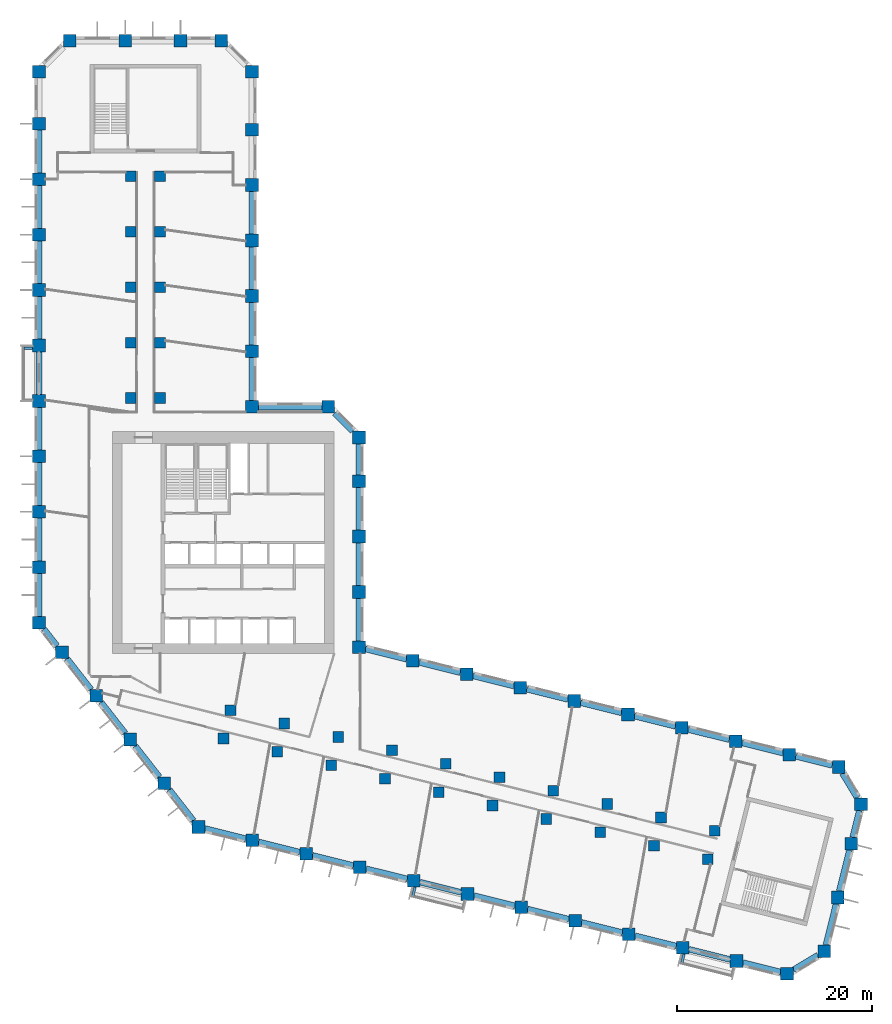
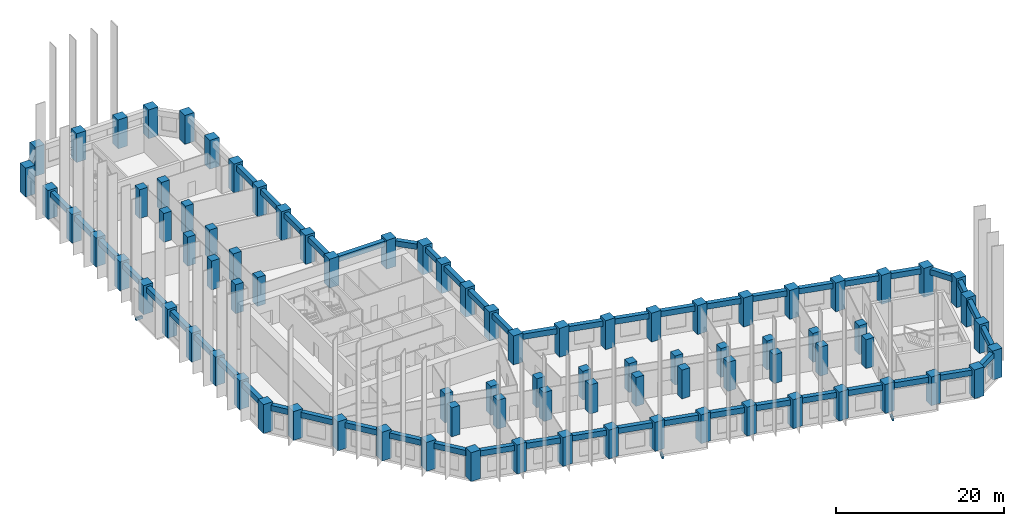
# One storey, part 1 of 10: 87 columns, 52 beams.
"""IFC4 building model written with IfcOpenShell, lengths in metres."""

from ifc_helpers import new_model, si_unit, direction, frame, origin, origin_2d, place, context, subcontext, project, spatial, rectangle, extrude, material, material_profile, profile_set, type_object, element, save


model = new_model("IFC4")

# Units and contexts
model_context = context("Model", 3, precision=1e-05, world=origin(), true_north=direction((0.0, 1.0)))
body_context = subcontext(model_context, "Body", "Model", "MODEL_VIEW")
ifc_project = project(units=[si_unit("LENGTHUNIT", "METRE"), si_unit("AREAUNIT", "SQUARE_METRE"), si_unit("VOLUMEUNIT", "CUBIC_METRE"), si_unit("PLANEANGLEUNIT", "RADIAN"), si_unit("MASSUNIT", "GRAM", prefix="KILO")], contexts=[model_context])

# Site, building, storey
site_placement = place(None, origin())
site = spatial("IfcSite", under=ifc_project, at=site_placement, CompositionType="ELEMENT")
building_placement = place(site_placement, origin())
building = spatial("IfcBuilding", under=site, at=building_placement, Name="Meshkara Civic Tower", CompositionType="ELEMENT")
storey_placement = place(building_placement, frame((0.0, 0.0, 114.0)))
storey = spatial("IfcBuildingStorey", under=building, at=storey_placement, Name="L25", CompositionType="ELEMENT", Elevation=114.0)

# Columns
ifc_material_1 = material(Name="Concrete C70", Category="concrete")
ifc_material_profile_1 = material_profile(ifc_material_1, rectangle(XDim=1.10009765625, YDim=1.10009765625, at=origin_2d()))
ifc_profile_set_1 = profile_set([ifc_material_profile_1], Name="Concrete C70")
column_type_1 = type_object("IfcColumnType", Name="Interior column RC 1100x1100 C70", PredefinedType="COLUMN", material=ifc_profile_set_1)
for number, where, z_axis, x_axis, name in (
    (1, (9.89990234375, 40.35009765625, 0.0), (0.0, 0.0, 1.0), (1.0, 0.0, 0.0), "Column SA1-04 L25"),
    (2, (9.89990234375, 46.050048828125, 0.0), (0.0, 0.0, 1.0), (1.0, 0.0, 0.0), "Column SA1-05 L25"),
    (3, (9.89990234375, 51.75, 0.0), (0.0, 0.0, 1.0), (1.0, 0.0, 0.0), "Column SA1-06 L25"),
    (4, (9.89990234375, 57.449951171875, 0.0), (0.0, 0.0, 1.0), (1.0, 0.0, 0.0), "Column SA1-07 L25"),
    (5, (9.89990234375, 63.14990234375, 0.0), (0.0, 0.0, 1.0), (1.0, 0.0, 0.0), "Column SA1-08 L25"),
    (6, (12.89990234375, 40.35009765625, 0.0), (0.0, 0.0, 1.0), (1.0, 0.0, 0.0), "Column SA2-04 L25"),
    (7, (12.89990234375, 46.050048828125, 0.0), (0.0, 0.0, 1.0), (1.0, 0.0, 0.0), "Column SA2-05 L25"),
    (8, (12.89990234375, 51.75, 0.0), (0.0, 0.0, 1.0), (1.0, 0.0, 0.0), "Column SA2-06 L25"),
    (9, (12.89990234375, 57.449951171875, 0.0), (0.0, 0.0, 1.0), (1.0, 0.0, 0.0), "Column SA2-07 L25"),
    (10, (12.89990234375, 63.14990234375, 0.0), (0.0, 0.0, 1.0), (1.0, 0.0, 0.0), "Column SA2-08 L25"),
    (11, (19.424072265625, 5.360107421875, 0.0), (0.0, 0.0, 1.0), (1.0, 0.0, 0.0), "Column SB1-00 L25"),
    (12, (24.9541015625, 3.98095703125, 0.0), (0.0, 0.0, 1.0), (1.0, 0.0, 0.0), "Column SB1-01 L25"),
    (13, (30.485107421875, 2.60205078125, 0.0), (0.0, 0.0, 1.0), (1.0, 0.0, 0.0), "Column SB1-02 L25"),
    (14, (36.01611328125, 1.222900390625, 0.0), (0.0, 0.0, 1.0), (1.0, 0.0, 0.0), "Column SB1-03 L25"),
    (15, (41.5458984375, -0.156005859375, 0.0), (0.0, 0.0, 1.0), (1.0, 0.0, 0.0), "Column SB1-04 L25"),
    (16, (47.076904296875, -1.534912109375, 0.0), (0.0, 0.0, 1.0), (1.0, 0.0, 0.0), "Column SB1-05 L25"),
    (17, (52.60791015625, -2.9140625, 0.0), (0.0, 0.0, 1.0), (1.0, 0.0, 0.0), "Column SB1-06 L25"),
    (18, (58.138916015625, -4.2919921875, 0.0), (0.0, 0.0, 1.0), (1.0, 0.0, 0.0), "Column SB1-07 L25"),
    (19, (63.6689453125, -5.6708984375, 0.0), (0.0, 0.0, 1.0), (1.0, 0.0, 0.0), "Column SB1-08 L25"),
    (20, (69.199951171875, -7.050048828125, 0.0), (0.0, 0.0, 1.0), (1.0, 0.0, 0.0), "Column SB1-09 L25"),
    (21, (20.14892578125, 8.27099609375, 0.0), (0.0, 0.0, 1.0), (1.0, 0.0, 0.0), "Column SB2-00 L25"),
    (22, (25.679931640625, 6.89208984375, 0.0), (0.0, 0.0, 1.0), (1.0, 0.0, 0.0), "Column SB2-01 L25"),
    (23, (31.2109375, 5.512939453125, 0.0), (0.0, 0.0, 1.0), (1.0, 0.0, 0.0), "Column SB2-02 L25"),
    (24, (36.741943359375, 4.134033203125, 0.0), (0.0, 0.0, 1.0), (1.0, 0.0, 0.0), "Column SB2-03 L25"),
    (25, (42.27197265625, 2.7548828125, 0.0), (0.0, 0.0, 1.0), (1.0, 0.0, 0.0), "Column SB2-04 L25"),
    (26, (47.802978515625, 1.3759765625, 0.0), (0.0, 0.0, 1.0), (1.0, 0.0, 0.0), "Column SB2-05 L25"),
    (27, (53.333984375, -0.0029296875, 0.0), (0.0, 0.0, 1.0), (1.0, 0.0, 0.0), "Column SB2-06 L25"),
    (28, (58.864013671875, -1.382080078125, 0.0), (0.0, 0.0, 1.0), (1.0, 0.0, 0.0), "Column SB2-07 L25"),
    (29, (64.39501953125, -2.760986328125, 0.0), (0.0, 0.0, 1.0), (1.0, 0.0, 0.0), "Column SB2-08 L25"),
    (30, (69.926025390625, -4.139892578125, 0.0), (0.0, 0.0, 1.0), (1.0, 0.0, 0.0), "Column SB2-09 L25"),
):
    element("IfcColumn", number, at=place(storey_placement, frame(where, z_axis=z_axis, x_axis=x_axis)), inside=storey, type_object=column_type_1, Name=name, PredefinedType="COLUMN", context=body_context, shape_type="SweptSolid", body=[
        extrude(rectangle(XDim=1.10009765625, YDim=1.10009765625, at=origin_2d()), origin(), (0.0, 0.0, 1.0), 4.199951171875),
    ])
ifc_material_2 = material(Name="Concrete C70", Category="concrete")
ifc_material_profile_2 = material_profile(ifc_material_2, rectangle(XDim=1.300048828125, YDim=1.300048828125, at=origin_2d()))
ifc_profile_set_2 = profile_set([ifc_material_profile_2], Name="Concrete C70")
column_type_2 = type_object("IfcColumnType", Name="Perimeter column RC 1300x1300 C70", PredefinedType="COLUMN", material=ifc_profile_set_2)
for number, where, z_axis, x_axis, name in (
    (31, (33.35009765625, 14.718994140625, 0.0), (0.0, 0.0, 1.0), (1.0, 0.0, 0.0), "Column HE00 L25"),
    (32, (33.35009765625, 20.4189453125, 0.0), (0.0, 0.0, 1.0), (1.0, 0.0, 0.0), "Column HE01 L25"),
    (33, (33.35009765625, 26.118896484375, 0.0), (0.0, 0.0, 1.0), (1.0, 0.0, 0.0), "Column HE02 L25"),
    (34, (33.35009765625, 31.819091796875, 0.0), (0.0, 0.0, 1.0), (1.0, 0.0, 0.0), "Column HE03 L25"),
    (35, (33.35009765625, 36.2939453125, 0.0), (0.0, 0.0, 1.0), (1.0, 0.0, 0.0), "Column HEE L25"),
    (36, (30.194091796875, 39.449951171875, 0.0), (0.0, 0.0, 1.0), (1.0, 0.0, 0.0), "Column HCeE L25"),
    (37, (22.35009765625, 39.449951171875, 0.0), (0.0, 0.0, 1.0), (1.0, 0.0, 0.0), "Column HN00 L25"),
    (38, (22.35009765625, 45.14990234375, 0.0), (0.0, 0.0, 1.0), (1.0, 0.0, 0.0), "Column AE01 L25"),
    (39, (22.35009765625, 50.85009765625, 0.0), (0.0, 0.0, 1.0), (1.0, 0.0, 0.0), "Column AE02 L25"),
    (40, (22.35009765625, 56.550048828125, 0.0), (0.0, 0.0, 1.0), (1.0, 0.0, 0.0), "Column AE03 L25"),
    (41, (22.35009765625, 62.25, 0.0), (0.0, 0.0, 1.0), (1.0, 0.0, 0.0), "Column AE04 L25"),
    (42, (22.35009765625, 67.949951171875, 0.0), (0.0, 0.0, 1.0), (1.0, 0.0, 0.0), "Column AE05 L25"),
    (43, (22.35009765625, 73.9140625, 0.0), (0.0, 0.0, 1.0), (1.0, 0.0, 0.0), "Column AEEP1 L25"),
    (44, (19.194091796875, 77.070068359375, 0.0), (0.0, 0.0, 1.0), (1.0, 0.0, 0.0), "Column ATiEP1 L25"),
    (45, (3.60595703125, 77.070068359375, 0.0), (0.0, 0.0, 1.0), (1.0, 0.0, 0.0), "Column AT00-P1 L25"),
    (46, (9.305908203125, 77.070068359375, 0.0), (0.0, 0.0, 1.0), (1.0, 0.0, 0.0), "Column AT01-P1 L25"),
    (47, (15.006103515625, 77.070068359375, 0.0), (0.0, 0.0, 1.0), (1.0, 0.0, 0.0), "Column AT02-P1 L25"),
    (48, (0.449951171875, 73.9140625, 0.0), (0.0, 0.0, 1.0), (1.0, 0.0, 0.0), "Column ATo00-P1 L25"),
    (49, (0.449951171875, 17.2548828125, 0.0), (0.0, 0.0, 1.0), (1.0, 0.0, 0.0), "Column AW00 L25"),
    (50, (0.449951171875, 22.955078125, 0.0), (0.0, 0.0, 1.0), (1.0, 0.0, 0.0), "Column AW01 L25"),
    (51, (0.449951171875, 28.655029296875, 0.0), (0.0, 0.0, 1.0), (1.0, 0.0, 0.0), "Column AW02 L25"),
    (52, (0.449951171875, 34.35498046875, 0.0), (0.0, 0.0, 1.0), (1.0, 0.0, 0.0), "Column AW03 L25"),
    (53, (0.449951171875, 40.054931640625, 0.0), (0.0, 0.0, 1.0), (1.0, 0.0, 0.0), "Column AW04 L25"),
    (54, (0.449951171875, 45.7548828125, 0.0), (0.0, 0.0, 1.0), (1.0, 0.0, 0.0), "Column AW05 L25"),
    (55, (0.449951171875, 51.455078125, 0.0), (0.0, 0.0, 1.0), (1.0, 0.0, 0.0), "Column AW06 L25"),
    (56, (0.449951171875, 57.155029296875, 0.0), (0.0, 0.0, 1.0), (1.0, 0.0, 0.0), "Column AW07 L25"),
    (57, (0.449951171875, 62.85498046875, 0.0), (0.0, 0.0, 1.0), (1.0, 0.0, 0.0), "Column AW08 L25"),
    (58, (0.449951171875, 68.554931640625, 0.0), (0.0, 0.0, 1.0), (1.0, 0.0, 0.0), "Column AW09 L25"),
    (59, (16.85107421875, -3.738037109375, 0.0), (0.0, 0.0, 1.0), (1.0, 0.0, 0.0), "Column BOW00 L25"),
    (60, (13.342041015625, 0.75390625, 0.0), (0.0, 0.0, 1.0), (1.0, 0.0, 0.0), "Column BOW01 L25"),
    (61, (9.8330078125, 5.2451171875, 0.0), (0.0, 0.0, 1.0), (1.0, 0.0, 0.0), "Column BOW02 L25"),
    (62, (6.322998046875, 9.737060546875, 0.0), (0.0, 0.0, 1.0), (1.0, 0.0, 0.0), "Column BOW03 L25"),
    (63, (2.81396484375, 14.22900390625, 0.0), (0.0, 0.0, 1.0), (1.0, 0.0, 0.0), "Column BOW04 L25"),
    (64, (22.382080078125, -5.116943359375, 0.0), (0.0, 0.0, 1.0), (1.0, 0.0, 0.0), "Column BS01 L25"),
    (65, (27.912109375, -6.49609375, 0.0), (0.0, 0.0, 1.0), (1.0, 0.0, 0.0), "Column BS02 L25"),
    (66, (33.443115234375, -7.875, 0.0), (0.0, 0.0, 1.0), (1.0, 0.0, 0.0), "Column BS03 L25"),
    (67, (38.97412109375, -9.2529296875, 0.0), (0.0, 0.0, 1.0), (1.0, 0.0, 0.0), "Column BS04-P1 L25"),
    (68, (44.5048828125, -10.632080078125, 0.0), (0.0, 0.0, 1.0), (1.0, 0.0, 0.0), "Column BS05 L25"),
    (69, (50.034912109375, -12.010986328125, 0.0), (0.0, 0.0, 1.0), (1.0, 0.0, 0.0), "Column BS06 L25"),
    (70, (55.56591796875, -13.389892578125, 0.0), (0.0, 0.0, 1.0), (1.0, 0.0, 0.0), "Column BS07 L25"),
    (71, (61.096923828125, -14.76904296875, 0.0), (0.0, 0.0, 1.0), (1.0, 0.0, 0.0), "Column BS08 L25"),
    (72, (66.626953125, -16.14794921875, 0.0), (0.0, 0.0, 1.0), (1.0, 0.0, 0.0), "Column BS09 L25"),
    (73, (72.157958984375, -17.527099609375, 0.0), (0.0, 0.0, 1.0), (1.0, 0.0, 0.0), "Column BS10 L25"),
    (74, (77.35791015625, -18.822998046875, 0.0), (0.0, 0.0, 1.0), (1.0, 0.0, 0.0), "Column BSEP1 L25"),
    (75, (81.18310546875, -16.52392578125, 0.0), (0.0, 0.0, 1.0), (1.0, 0.0, 0.0), "Column BToEP1 L25"),
    (76, (82.56201171875, -10.992919921875, 0.0), (0.0, 0.0, 1.0), (1.0, 0.0, 0.0), "Column BT01-P1 L25"),
    (77, (83.94091796875, -5.462890625, 0.0), (0.0, 0.0, 1.0), (1.0, 0.0, 0.0), "Column BT02-P1 L25"),
    (78, (84.9541015625, -1.39990234375, 0.0), (0.0, 0.0, 1.0), (1.0, 0.0, 0.0), "Column BTEP1 L25"),
    (79, (82.655029296875, 2.425048828125, 0.0), (0.0, 0.0, 1.0), (1.0, 0.0, 0.0), "Column BTi00-P1 L25"),
    (80, (38.881103515625, 13.340087890625, 0.0), (0.0, 0.0, 1.0), (1.0, 0.0, 0.0), "Column BN01 L25"),
    (81, (44.410888671875, 11.9609375, 0.0), (0.0, 0.0, 1.0), (1.0, 0.0, 0.0), "Column BN02 L25"),
    (82, (49.94189453125, 10.58203125, 0.0), (0.0, 0.0, 1.0), (1.0, 0.0, 0.0), "Column BN03 L25"),
    (83, (55.472900390625, 9.202880859375, 0.0), (0.0, 0.0, 1.0), (1.0, 0.0, 0.0), "Column BN04 L25"),
    (84, (61.0029296875, 7.823974609375, 0.0), (0.0, 0.0, 1.0), (1.0, 0.0, 0.0), "Column BN05 L25"),
    (85, (66.533935546875, 6.445068359375, 0.0), (0.0, 0.0, 1.0), (1.0, 0.0, 0.0), "Column BN06 L25"),
    (86, (72.06494140625, 5.06591796875, 0.0), (0.0, 0.0, 1.0), (1.0, 0.0, 0.0), "Column BN07 L25"),
    (87, (77.594970703125, 3.68701171875, 0.0), (0.0, 0.0, 1.0), (1.0, 0.0, 0.0), "Column BN08 L25"),
):
    element("IfcColumn", number, at=place(storey_placement, frame(where, z_axis=z_axis, x_axis=x_axis)), inside=storey, type_object=column_type_2, Name=name, PredefinedType="COLUMN", context=body_context, shape_type="SweptSolid", body=[
        extrude(rectangle(XDim=1.300048828125, YDim=1.300048828125, at=origin_2d()), origin(), (0.0, 0.0, 1.0), 4.199951171875),
    ])

# Beams
ifc_material_3 = material(Name="Concrete C50", Category="concrete")
ifc_material_profile_3 = material_profile(ifc_material_3, rectangle(XDim=0.25, YDim=0.39990234375, at=origin_2d()))
ifc_profile_set_3 = profile_set([ifc_material_profile_3], Name="Concrete C50")
beam_type_1 = type_object("IfcBeamType", Name="Balcony bracket beam RC 250x400 C50", PredefinedType="BEAM", material=ifc_profile_set_3)
beam_1_placement = place(storey_placement, frame((-0.195068359375, 45.455078125, -0.5), z_axis=(-1.0, 0.0, 0.0), x_axis=(0.0, -1.0, 0.0)))
element("IfcBeam", 88, at=beam_1_placement, inside=storey, type_object=beam_type_1, Name="Balcony bracket beam", PredefinedType="BEAM", context=body_context, shape_type="SweptSolid", body=[
    extrude(rectangle(XDim=0.25, YDim=0.39990234375, at=origin_2d()), origin(), (0.0, 0.0, 1.0), 0.905029296875),
])
beam_2_placement = place(storey_placement, frame((39.1220703125, -9.89794921875, -0.5), z_axis=(-0.24169832891, -0.970351440357, 0.0), x_axis=(0.970351440357, -0.24169832891, 0.0)))
element("IfcBeam", 89, at=beam_2_placement, inside=storey, type_object=beam_type_1, Name="Balcony bracket beam", PredefinedType="BEAM", context=body_context, shape_type="SweptSolid", body=[
    extrude(rectangle(XDim=0.25, YDim=0.39990234375, at=origin_2d()), origin(), (0.0, 0.0, 1.0), 0.960693359375),
])
beam_3_placement = place(storey_placement, frame((66.77490234375, -16.79296875, -0.5), z_axis=(-0.241697450497, -0.970351659154, 0.0), x_axis=(0.970351659154, -0.241697450497, 0.0)))
element("IfcBeam", 90, at=beam_3_placement, inside=storey, type_object=beam_type_1, Name="Balcony bracket beam", PredefinedType="BEAM", context=body_context, shape_type="SweptSolid", body=[
    extrude(rectangle(XDim=0.25, YDim=0.39990234375, at=origin_2d()), origin(), (0.0, 0.0, 1.0), 0.959716796875),
])
ifc_material_4 = material(Name="Concrete C70", Category="concrete")
ifc_material_profile_4 = material_profile(ifc_material_4, rectangle(XDim=0.60009765625, YDim=0.800048828125, at=origin_2d()))
ifc_profile_set_4 = profile_set([ifc_material_profile_4], Name="Concrete C70")
beam_type_2 = type_object("IfcBeamType", Name="Spandrel beam RC 600x800 C70", PredefinedType="BEAM", material=ifc_profile_set_4)
beam_4_placement = place(storey_placement, frame((76.949951171875, 3.847900390625, 3.5), z_axis=(-0.970293497888, 0.241930832999, 0.0), x_axis=(-0.241930832999, -0.970293497888, 0.0)))
element("IfcBeam", 91, at=beam_4_placement, inside=storey, type_object=beam_type_2, Name="Spandrel beam BN07-BN08", PredefinedType="BEAM", context=body_context, shape_type="SweptSolid", body=[
    extrude(rectangle(XDim=0.60009765625, YDim=0.800048828125, at=origin_2d()), origin(), (0.0, 0.0, 1.0), 4.36962890625),
])
for number, where, z_axis, x_axis, name in (
    (92, (71.419921875, 5.226806640625, 3.5), (-0.970293463154, 0.241930972304, 0.0), (-0.241930972304, -0.970293463154, 0.0), "Spandrel beam BN06-BN07"),
    (93, (65.888916015625, 6.605712890625, 3.5), (-0.970293463154, 0.241930972304, 0.0), (-0.241930972304, -0.970293463154, 0.0), "Spandrel beam BN05-BN06"),
):
    element("IfcBeam", number, at=place(storey_placement, frame(where, z_axis=z_axis, x_axis=x_axis)), inside=storey, type_object=beam_type_2, Name=name, PredefinedType="BEAM", context=body_context, shape_type="SweptSolid", body=[
        extrude(rectangle(XDim=0.60009765625, YDim=0.800048828125, at=origin_2d()), origin(), (0.0, 0.0, 1.0), 4.37060546875),
    ])
beam_5_placement = place(storey_placement, frame((60.35791015625, 7.98486328125, 3.5), z_axis=(-0.970293497888, 0.241930832999, 0.0), x_axis=(-0.241930832999, -0.970293497888, 0.0)))
element("IfcBeam", 94, at=beam_5_placement, inside=storey, type_object=beam_type_2, Name="Spandrel beam BN04-BN05", PredefinedType="BEAM", context=body_context, shape_type="SweptSolid", body=[
    extrude(rectangle(XDim=0.60009765625, YDim=0.800048828125, at=origin_2d()), origin(), (0.0, 0.0, 1.0), 4.36962890625),
])
for number, where, z_axis, x_axis, name in (
    (95, (54.827880859375, 9.36376953125, 3.5), (-0.970293463154, 0.241930972304, 0.0), (-0.241930972304, -0.970293463154, 0.0), "Spandrel beam BN03-BN04"),
    (96, (49.296875, 10.742919921875, 3.5), (-0.970293463154, 0.241930972304, 0.0), (-0.241930972304, -0.970293463154, 0.0), "Spandrel beam BN02-BN03"),
):
    element("IfcBeam", number, at=place(storey_placement, frame(where, z_axis=z_axis, x_axis=x_axis)), inside=storey, type_object=beam_type_2, Name=name, PredefinedType="BEAM", context=body_context, shape_type="SweptSolid", body=[
        extrude(rectangle(XDim=0.60009765625, YDim=0.800048828125, at=origin_2d()), origin(), (0.0, 0.0, 1.0), 4.37060546875),
    ])
beam_6_placement = place(storey_placement, frame((43.765869140625, 12.121826171875, 3.5), z_axis=(-0.970280380753, 0.241983434817, 0.0), x_axis=(-0.241983434817, -0.970280380753, 0.0)))
element("IfcBeam", 97, at=beam_6_placement, inside=storey, type_object=beam_type_2, Name="Spandrel beam BN01-BN02", PredefinedType="BEAM", context=body_context, shape_type="SweptSolid", body=[
    extrude(rectangle(XDim=0.60009765625, YDim=0.800048828125, at=origin_2d()), origin(), (0.0, 0.0, 1.0), 4.36962890625),
])
beam_7_placement = place(storey_placement, frame((38.23583984375, 13.500732421875, 3.5), z_axis=(-0.970293463154, 0.241930972304, 0.0), x_axis=(-0.241930972304, -0.970293463154, 0.0)))
element("IfcBeam", 98, at=beam_7_placement, inside=storey, type_object=beam_type_2, Name="Spandrel beam BN01-HE00", PredefinedType="BEAM", context=body_context, shape_type="SweptSolid", body=[
    extrude(rectangle(XDim=0.60009765625, YDim=0.800048828125, at=origin_2d()), origin(), (0.0, 0.0, 1.0), 4.37060546875),
])
beam_8_placement = place(storey_placement, frame((33.35009765625, 15.364013671875, 3.5), z_axis=(0.0, 1.0, 0.0), x_axis=(-1.0, 0.0, 0.0)))
element("IfcBeam", 99, at=beam_8_placement, inside=storey, type_object=beam_type_2, Name="Spandrel beam HE00-HE01", PredefinedType="BEAM", context=body_context, shape_type="SweptSolid", body=[
    extrude(rectangle(XDim=0.60009765625, YDim=0.800048828125, at=origin_2d()), origin(), (0.0, 0.0, 1.0), 4.409912109375),
])
for number, where, z_axis, x_axis, name in (
    (100, (33.35009765625, 21.06396484375, 3.5), (0.0, 1.0, 0.0), (-1.0, 0.0, 0.0), "Spandrel beam HE01-HE02"),
    (101, (33.35009765625, 26.763916015625, 3.5), (0.0, 1.0, 0.0), (-1.0, 0.0, 0.0), "Spandrel beam HE02-HE03"),
):
    element("IfcBeam", number, at=place(storey_placement, frame(where, z_axis=z_axis, x_axis=x_axis)), inside=storey, type_object=beam_type_2, Name=name, PredefinedType="BEAM", context=body_context, shape_type="SweptSolid", body=[
        extrude(rectangle(XDim=0.60009765625, YDim=0.800048828125, at=origin_2d()), origin(), (0.0, 0.0, 1.0), 4.41015625),
    ])
beam_9_placement = place(storey_placement, frame((33.35009765625, 32.464111328125, 3.5), z_axis=(0.0, 1.0, 0.0), x_axis=(-1.0, 0.0, 0.0)))
element("IfcBeam", 102, at=beam_9_placement, inside=storey, type_object=beam_type_2, Name="Spandrel beam HE03-HEE", PredefinedType="BEAM", context=body_context, shape_type="SweptSolid", body=[
    extrude(rectangle(XDim=0.60009765625, YDim=0.800048828125, at=origin_2d()), origin(), (0.0, 0.0, 1.0), 3.184814453125),
])
beam_10_placement = place(storey_placement, frame((32.70361328125, 36.9404296875, 3.5), z_axis=(-0.707106781187, 0.707106781187, 0.0), x_axis=(-0.707106781187, -0.707106781187, 0.0)))
element("IfcBeam", 103, at=beam_10_placement, inside=storey, type_object=beam_type_2, Name="Spandrel beam HCeE-HEE", PredefinedType="BEAM", context=body_context, shape_type="SweptSolid", body=[
    extrude(rectangle(XDim=0.60009765625, YDim=0.800048828125, at=origin_2d()), origin(), (0.0, 0.0, 1.0), 2.634765625),
])
beam_11_placement = place(storey_placement, frame((29.549072265625, 39.449951171875, 3.5), z_axis=(-1.0, 0.0, 0.0), x_axis=(0.0, -1.0, 0.0)))
element("IfcBeam", 104, at=beam_11_placement, inside=storey, type_object=beam_type_2, Name="Spandrel beam HCeE-HN00", PredefinedType="BEAM", context=body_context, shape_type="SweptSolid", body=[
    extrude(rectangle(XDim=0.60009765625, YDim=0.800048828125, at=origin_2d()), origin(), (0.0, 0.0, 1.0), 6.553955078125),
])
beam_12_placement = place(storey_placement, frame((22.35009765625, 40.094970703125, 3.5), z_axis=(0.0, 1.0, 0.0), x_axis=(-1.0, 0.0, 0.0)))
element("IfcBeam", 105, at=beam_12_placement, inside=storey, type_object=beam_type_2, Name="Spandrel beam AE01-HN00", PredefinedType="BEAM", context=body_context, shape_type="SweptSolid", body=[
    extrude(rectangle(XDim=0.60009765625, YDim=0.800048828125, at=origin_2d()), origin(), (0.0, 0.0, 1.0), 4.409912109375),
])
beam_13_placement = place(storey_placement, frame((22.35009765625, 45.794921875, 3.5), z_axis=(0.0, 1.0, 0.0), x_axis=(-1.0, 0.0, 0.0)))
element("IfcBeam", 106, at=beam_13_placement, inside=storey, type_object=beam_type_2, Name="Spandrel beam AE01-AE02", PredefinedType="BEAM", context=body_context, shape_type="SweptSolid", body=[
    extrude(rectangle(XDim=0.60009765625, YDim=0.800048828125, at=origin_2d()), origin(), (0.0, 0.0, 1.0), 4.41015625),
])
for number, where, z_axis, x_axis, name in (
    (107, (22.35009765625, 51.4951171875, 3.5), (0.0, 1.0, 0.0), (-1.0, 0.0, 0.0), "Spandrel beam AE02-AE03"),
    (108, (22.35009765625, 57.195068359375, 3.5), (0.0, 1.0, 0.0), (-1.0, 0.0, 0.0), "Spandrel beam AE03-AE04"),
    (109, (0.449951171875, 67.909912109375, 3.5), (0.0, -1.0, 0.0), (1.0, 0.0, 0.0), "Spandrel beam AW08-AW09"),
    (110, (0.449951171875, 62.2099609375, 3.5), (0.0, -1.0, 0.0), (1.0, 0.0, 0.0), "Spandrel beam AW07-AW08"),
    (111, (0.449951171875, 56.510009765625, 3.5), (0.0, -1.0, 0.0), (1.0, 0.0, 0.0), "Spandrel beam AW06-AW07"),
):
    element("IfcBeam", number, at=place(storey_placement, frame(where, z_axis=z_axis, x_axis=x_axis)), inside=storey, type_object=beam_type_2, Name=name, PredefinedType="BEAM", context=body_context, shape_type="SweptSolid", body=[
        extrude(rectangle(XDim=0.60009765625, YDim=0.800048828125, at=origin_2d()), origin(), (0.0, 0.0, 1.0), 4.409912109375),
    ])
for number, where, z_axis, x_axis, name in (
    (112, (0.449951171875, 50.81005859375, 3.5), (0.0, -1.0, 0.0), (1.0, 0.0, 0.0), "Spandrel beam AW05-AW06"),
    (113, (0.449951171875, 45.110107421875, 3.5), (0.0, -1.0, 0.0), (1.0, 0.0, 0.0), "Spandrel beam AW04-AW05"),
):
    element("IfcBeam", number, at=place(storey_placement, frame(where, z_axis=z_axis, x_axis=x_axis)), inside=storey, type_object=beam_type_2, Name=name, PredefinedType="BEAM", context=body_context, shape_type="SweptSolid", body=[
        extrude(rectangle(XDim=0.60009765625, YDim=0.800048828125, at=origin_2d()), origin(), (0.0, 0.0, 1.0), 4.41015625),
    ])
for number, where, z_axis, x_axis, name in (
    (114, (0.449951171875, 39.409912109375, 3.5), (0.0, -1.0, 0.0), (1.0, 0.0, 0.0), "Spandrel beam AW03-AW04"),
    (115, (0.449951171875, 33.7099609375, 3.5), (0.0, -1.0, 0.0), (1.0, 0.0, 0.0), "Spandrel beam AW02-AW03"),
    (116, (0.449951171875, 28.010009765625, 3.5), (0.0, -1.0, 0.0), (1.0, 0.0, 0.0), "Spandrel beam AW01-AW02"),
):
    element("IfcBeam", number, at=place(storey_placement, frame(where, z_axis=z_axis, x_axis=x_axis)), inside=storey, type_object=beam_type_2, Name=name, PredefinedType="BEAM", context=body_context, shape_type="SweptSolid", body=[
        extrude(rectangle(XDim=0.60009765625, YDim=0.800048828125, at=origin_2d()), origin(), (0.0, 0.0, 1.0), 4.409912109375),
    ])
beam_14_placement = place(storey_placement, frame((0.449951171875, 22.31005859375, 3.5), z_axis=(0.0, -1.0, 0.0), x_axis=(1.0, 0.0, 0.0)))
element("IfcBeam", 117, at=beam_14_placement, inside=storey, type_object=beam_type_2, Name="Spandrel beam AW00-AW01", PredefinedType="BEAM", context=body_context, shape_type="SweptSolid", body=[
    extrude(rectangle(XDim=0.60009765625, YDim=0.800048828125, at=origin_2d()), origin(), (0.0, 0.0, 1.0), 4.41015625),
])
beam_15_placement = place(storey_placement, frame((0.95458984375, 16.60888671875, 3.5), z_axis=(0.61568279769, -0.787994094286, 0.0), x_axis=(0.787994094286, 0.61568279769, 0.0)))
element("IfcBeam", 118, at=beam_15_placement, inside=storey, type_object=beam_type_2, Name="Spandrel beam AW00-BOW04", PredefinedType="BEAM", context=body_context, shape_type="SweptSolid", body=[
    extrude(rectangle(XDim=0.60009765625, YDim=0.800048828125, at=origin_2d()), origin(), (0.0, 0.0, 1.0), 2.200439453125),
])
beam_16_placement = place(storey_placement, frame((3.318603515625, 13.5830078125, 3.5), z_axis=(0.615612539127, -0.788048984309, 0.0), x_axis=(0.788048984309, 0.615612539127, 0.0)))
element("IfcBeam", 119, at=beam_16_placement, inside=storey, type_object=beam_type_2, Name="Spandrel beam BOW03-BOW04", PredefinedType="BEAM", context=body_context, shape_type="SweptSolid", body=[
    extrude(rectangle(XDim=0.60009765625, YDim=0.800048828125, at=origin_2d()), origin(), (0.0, 0.0, 1.0), 4.060546875),
])
beam_17_placement = place(storey_placement, frame((6.827880859375, 9.0908203125, 3.5), z_axis=(0.615716376188, -0.787967857272, 0.0), x_axis=(0.787967857272, 0.615716376188, 0.0)))
element("IfcBeam", 120, at=beam_17_placement, inside=storey, type_object=beam_type_2, Name="Spandrel beam BOW02-BOW03", PredefinedType="BEAM", context=body_context, shape_type="SweptSolid", body=[
    extrude(rectangle(XDim=0.60009765625, YDim=0.800048828125, at=origin_2d()), origin(), (0.0, 0.0, 1.0), 4.060791015625),
])
beam_18_placement = place(storey_placement, frame((10.337890625, 4.598876953125, 3.5), z_axis=(0.61568372316, -0.787993371188, 0.0), x_axis=(0.787993371188, 0.61568372316, 0.0)))
element("IfcBeam", 121, at=beam_18_placement, inside=storey, type_object=beam_type_2, Name="Spandrel beam BOW01-BOW02", PredefinedType="BEAM", context=body_context, shape_type="SweptSolid", body=[
    extrude(rectangle(XDim=0.60009765625, YDim=0.800048828125, at=origin_2d()), origin(), (0.0, 0.0, 1.0), 4.059326171875),
])
beam_19_placement = place(storey_placement, frame((13.8466796875, 0.10791015625, 3.5), z_axis=(0.615604368214, -0.78805536724, 0.0), x_axis=(0.78805536724, 0.615604368214, 0.0)))
element("IfcBeam", 122, at=beam_19_placement, inside=storey, type_object=beam_type_2, Name="Spandrel beam BOW00-BOW01", PredefinedType="BEAM", context=body_context, shape_type="SweptSolid", body=[
    extrude(rectangle(XDim=0.60009765625, YDim=0.800048828125, at=origin_2d()), origin(), (0.0, 0.0, 1.0), 4.060302734375),
])
beam_20_placement = place(storey_placement, frame((17.49609375, -3.898681640625, 3.5), z_axis=(0.970280349033, -0.241983562004, 0.0), x_axis=(0.241983562004, 0.970280349033, 0.0)))
element("IfcBeam", 123, at=beam_20_placement, inside=storey, type_object=beam_type_2, Name="Spandrel beam BOW00-BS01", PredefinedType="BEAM", context=body_context, shape_type="SweptSolid", body=[
    extrude(rectangle(XDim=0.60009765625, YDim=0.800048828125, at=origin_2d()), origin(), (0.0, 0.0, 1.0), 4.37060546875),
])
beam_21_placement = place(storey_placement, frame((23.027099609375, -5.27783203125, 3.5), z_axis=(0.970280380753, -0.241983434817, 0.0), x_axis=(0.241983434817, 0.970280380753, 0.0)))
element("IfcBeam", 124, at=beam_21_placement, inside=storey, type_object=beam_type_2, Name="Spandrel beam BS01-BS02", PredefinedType="BEAM", context=body_context, shape_type="SweptSolid", body=[
    extrude(rectangle(XDim=0.60009765625, YDim=0.800048828125, at=origin_2d()), origin(), (0.0, 0.0, 1.0), 4.36962890625),
])
beam_22_placement = place(storey_placement, frame((28.55712890625, -6.65673828125, 3.5), z_axis=(0.970293463154, -0.241930972304, 0.0), x_axis=(0.241930972304, 0.970293463154, 0.0)))
element("IfcBeam", 125, at=beam_22_placement, inside=storey, type_object=beam_type_2, Name="Spandrel beam BS02-BS03", PredefinedType="BEAM", context=body_context, shape_type="SweptSolid", body=[
    extrude(rectangle(XDim=0.60009765625, YDim=0.800048828125, at=origin_2d()), origin(), (0.0, 0.0, 1.0), 4.37060546875),
])
beam_23_placement = place(storey_placement, frame((34.088134765625, -8.03564453125, 3.5), z_axis=(0.97033279054, -0.241773190412, 0.0), x_axis=(0.241773190412, 0.97033279054, 0.0)))
element("IfcBeam", 126, at=beam_23_placement, inside=storey, type_object=beam_type_2, Name="Spandrel beam BS03-BS04-P1", PredefinedType="BEAM", context=body_context, shape_type="SweptSolid", body=[
    extrude(rectangle(XDim=0.60009765625, YDim=0.800048828125, at=origin_2d()), origin(), (0.0, 0.0, 1.0), 4.370361328125),
])
beam_24_placement = place(storey_placement, frame((39.619140625, -9.413818359375, 3.5), z_axis=(0.970293463154, -0.241930972304, 0.0), x_axis=(0.241930972304, 0.970293463154, 0.0)))
element("IfcBeam", 127, at=beam_24_placement, inside=storey, type_object=beam_type_2, Name="Spandrel beam BS04-P1-BS05", PredefinedType="BEAM", context=body_context, shape_type="SweptSolid", body=[
    extrude(rectangle(XDim=0.60009765625, YDim=0.800048828125, at=origin_2d()), origin(), (0.0, 0.0, 1.0), 4.37060546875),
])
beam_25_placement = place(storey_placement, frame((45.150146484375, -10.79296875, 3.5), z_axis=(0.970293497888, -0.241930832999, 0.0), x_axis=(0.241930832999, 0.970293497888, 0.0)))
element("IfcBeam", 128, at=beam_25_placement, inside=storey, type_object=beam_type_2, Name="Spandrel beam BS05-BS06", PredefinedType="BEAM", context=body_context, shape_type="SweptSolid", body=[
    extrude(rectangle(XDim=0.60009765625, YDim=0.800048828125, at=origin_2d()), origin(), (0.0, 0.0, 1.0), 4.36962890625),
])
for number, where, z_axis, x_axis, name in (
    (129, (50.68017578125, -12.171875, 3.5), (0.970293463154, -0.241930972304, 0.0), (0.241930972304, 0.970293463154, 0.0), "Spandrel beam BS06-BS07"),
    (130, (56.211181640625, -13.55078125, 3.5), (0.970293463154, -0.241930972304, 0.0), (0.241930972304, 0.970293463154, 0.0), "Spandrel beam BS07-BS08"),
):
    element("IfcBeam", number, at=place(storey_placement, frame(where, z_axis=z_axis, x_axis=x_axis)), inside=storey, type_object=beam_type_2, Name=name, PredefinedType="BEAM", context=body_context, shape_type="SweptSolid", body=[
        extrude(rectangle(XDim=0.60009765625, YDim=0.800048828125, at=origin_2d()), origin(), (0.0, 0.0, 1.0), 4.37060546875),
    ])
beam_26_placement = place(storey_placement, frame((61.7421875, -14.929931640625, 3.5), z_axis=(0.970293497888, -0.241930832999, 0.0), x_axis=(0.241930832999, 0.970293497888, 0.0)))
element("IfcBeam", 131, at=beam_26_placement, inside=storey, type_object=beam_type_2, Name="Spandrel beam BS08-BS09", PredefinedType="BEAM", context=body_context, shape_type="SweptSolid", body=[
    extrude(rectangle(XDim=0.60009765625, YDim=0.800048828125, at=origin_2d()), origin(), (0.0, 0.0, 1.0), 4.36962890625),
])
beam_27_placement = place(storey_placement, frame((67.272216796875, -16.308837890625, 3.5), z_axis=(0.970293463154, -0.241930972304, 0.0), x_axis=(0.241930972304, 0.970293463154, 0.0)))
element("IfcBeam", 132, at=beam_27_placement, inside=storey, type_object=beam_type_2, Name="Spandrel beam BS09-BS10", PredefinedType="BEAM", context=body_context, shape_type="SweptSolid", body=[
    extrude(rectangle(XDim=0.60009765625, YDim=0.800048828125, at=origin_2d()), origin(), (0.0, 0.0, 1.0), 4.37060546875),
])
beam_28_placement = place(storey_placement, frame((72.802978515625, -17.687744140625, 3.5), z_axis=(0.970323993045, -0.241808495551, 0.0), x_axis=(0.241808495551, 0.970323993045, 0.0)))
element("IfcBeam", 133, at=beam_28_placement, inside=storey, type_object=beam_type_2, Name="Spandrel beam BS10-BSEP1", PredefinedType="BEAM", context=body_context, shape_type="SweptSolid", body=[
    extrude(rectangle(XDim=0.60009765625, YDim=0.800048828125, at=origin_2d()), origin(), (0.0, 0.0, 1.0), 4.029541015625),
])
beam_29_placement = place(storey_placement, frame((78.003662109375, -18.434814453125, 3.5), z_axis=(0.857121046107, 0.515115047655, 0.0), x_axis=(-0.515115047655, 0.857121046107, 0.0)))
element("IfcBeam", 134, at=beam_29_placement, inside=storey, type_object=beam_type_2, Name="Spandrel beam BSEP1-BToEP1", PredefinedType="BEAM", context=body_context, shape_type="SweptSolid", body=[
    extrude(rectangle(XDim=0.60009765625, YDim=0.800048828125, at=origin_2d()), origin(), (0.0, 0.0, 1.0), 2.9560546875),
])
beam_30_placement = place(storey_placement, frame((81.34375, -15.87890625, 3.5), z_axis=(0.241930972304, 0.970293463154, 0.0), x_axis=(-0.970293463154, 0.241930972304, 0.0)))
element("IfcBeam", 135, at=beam_30_placement, inside=storey, type_object=beam_type_2, Name="Spandrel beam BT01-P1-BToEP1", PredefinedType="BEAM", context=body_context, shape_type="SweptSolid", body=[
    extrude(rectangle(XDim=0.60009765625, YDim=0.800048828125, at=origin_2d()), origin(), (0.0, 0.0, 1.0), 4.37060546875),
])
beam_31_placement = place(storey_placement, frame((82.722900390625, -10.347900390625, 3.5), z_axis=(0.241930832999, 0.970293497888, 0.0), x_axis=(-0.970293497888, 0.241930832999, 0.0)))
element("IfcBeam", 136, at=beam_31_placement, inside=storey, type_object=beam_type_2, Name="Spandrel beam BT01-P1-BT02-P1", PredefinedType="BEAM", context=body_context, shape_type="SweptSolid", body=[
    extrude(rectangle(XDim=0.60009765625, YDim=0.800048828125, at=origin_2d()), origin(), (0.0, 0.0, 1.0), 4.36962890625),
])
beam_32_placement = place(storey_placement, frame((84.101806640625, -4.81787109375, 3.5), z_axis=(0.241952611346, 0.970288067464, 0.0), x_axis=(-0.970288067464, 0.241952611346, 0.0)))
element("IfcBeam", 137, at=beam_32_placement, inside=storey, type_object=beam_type_2, Name="Spandrel beam BT02-P1-BTEP1", PredefinedType="BEAM", context=body_context, shape_type="SweptSolid", body=[
    extrude(rectangle(XDim=0.60009765625, YDim=0.800048828125, at=origin_2d()), origin(), (0.0, 0.0, 1.0), 2.857666015625),
])
beam_33_placement = place(storey_placement, frame((84.56591796875, -0.75439453125, 3.5), z_axis=(-0.515115047655, 0.857121046107, 0.0), x_axis=(-0.857121046107, -0.515115047655, 0.0)))
element("IfcBeam", 138, at=beam_33_placement, inside=storey, type_object=beam_type_2, Name="Spandrel beam BTEP1-BTi00-P1", PredefinedType="BEAM", context=body_context, shape_type="SweptSolid", body=[
    extrude(rectangle(XDim=0.60009765625, YDim=0.800048828125, at=origin_2d()), origin(), (0.0, 0.0, 1.0), 2.9560546875),
])
beam_34_placement = place(storey_placement, frame((82.010009765625, 2.5859375, 3.5), z_axis=(-0.970282789967, 0.241973774392, 0.0), x_axis=(-0.241973774392, -0.970282789967, 0.0)))
element("IfcBeam", 139, at=beam_34_placement, inside=storey, type_object=beam_type_2, Name="Spandrel beam BN08-BTi00-P1", PredefinedType="BEAM", context=body_context, shape_type="SweptSolid", body=[
    extrude(rectangle(XDim=0.60009765625, YDim=0.800048828125, at=origin_2d()), origin(), (0.0, 0.0, 1.0), 3.885498046875),
])

save(model, "model.ifc")
